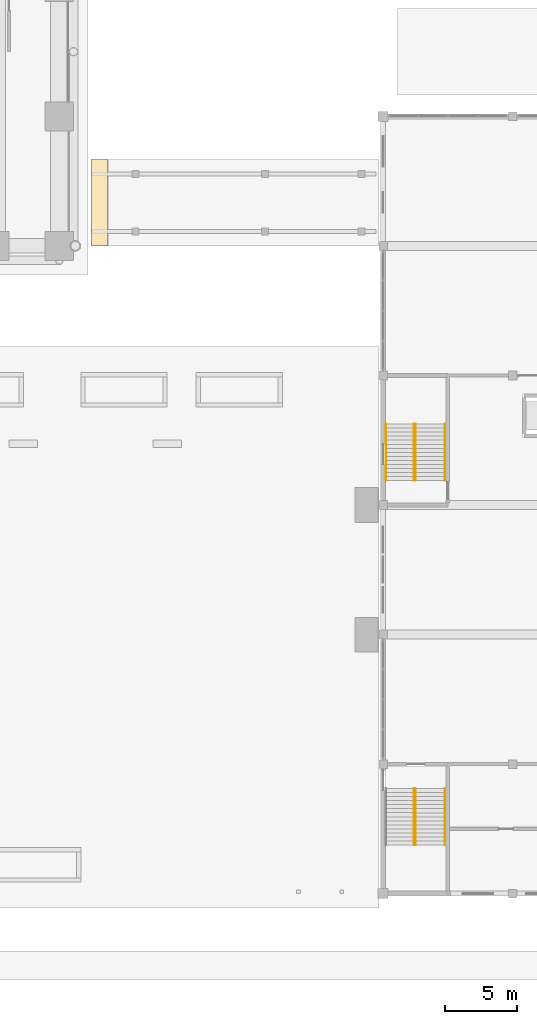
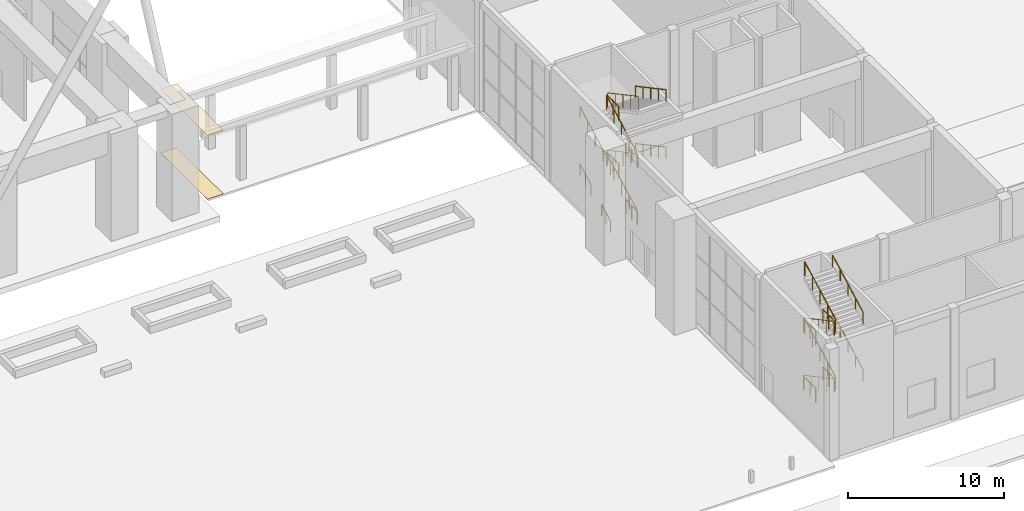
# One storey, part 39 of 44: 23 railings, 2 coverings.
"""IFC4 building model written with IfcOpenShell, lengths in metres."""

from ifc_helpers import new_model, si_unit, direction, frame, origin, origin_2d, place, context, subcontext, project, spatial, rectangle, circle, extrude, material, layer, layer_set, type_object, element, save


model = new_model("IFC4")

# Units and contexts
model_context = context("Model", 3, precision=1e-05, world=origin(), true_north=direction((0.0, 1.0)))
body_context = subcontext(model_context, "Body", "Model", "MODEL_VIEW")
ifc_project = project(units=[si_unit("LENGTHUNIT", "METRE"), si_unit("AREAUNIT", "SQUARE_METRE"), si_unit("VOLUMEUNIT", "CUBIC_METRE"), si_unit("PLANEANGLEUNIT", "RADIAN"), si_unit("MASSUNIT", "GRAM", prefix="KILO")], contexts=[model_context])

# Site, building, storey
site_placement = place(None, origin())
site = spatial("IfcSite", under=ifc_project, at=site_placement, CompositionType="ELEMENT")
building_placement = place(site_placement, origin())
building = spatial("IfcBuilding", under=site, at=building_placement, Name="Firuza Court", CompositionType="ELEMENT")
storey_placement = place(building_placement, origin())
storey = spatial("IfcBuildingStorey", under=building, at=storey_placement, Name="L00", CompositionType="ELEMENT", Elevation=0.0)

# Railings
ifc_material_1 = material(Name="Steel S355", Category="steel")
railing_type_1 = type_object("IfcRailingType", Name="HALL HANDRAIL 900", PredefinedType="HANDRAIL", material=ifc_material_1)
for number, where, name in (
    (1, (94.31005859375, -5.6201171875, 2.39990234375), "Stair H1 flight 2 handrail L00"),
    (2, (94.31005859375, -5.6201171875, 6.89990234375), "Stair H1 flight 4 handrail L00"),
):
    element("IfcRailing", number, at=place(storey_placement, frame(where)), inside=storey, type_object=railing_type_1, Name=name, PredefinedType="HANDRAIL", context=body_context, shape_type="SweptSolid", body=[
        extrude(circle(Radius=0.02099609375, at=origin_2d()), frame((0.0, 0.0, 0.87890625), z_axis=(0.0, 0.881479153919, 0.472222935917), x_axis=(-1.0, 0.0, 0.0)), (0.0, 0.0, 1.0), 4.447265625),
        extrude(circle(Radius=0.02001953125, at=origin_2d()), origin(), (0.0, 0.0, 1.0), 0.85791015625),
        extrude(circle(Radius=0.02001953125, at=origin_2d()), frame((0.0, 0.97998046875, 0.52490234375)), (0.0, 0.0, 1.0), 0.85791015625),
        extrude(circle(Radius=0.02001953125, at=origin_2d()), frame((0.0, 1.9599609375, 1.050048828125)), (0.0, 0.0, 1.0), 0.85791015625),
        extrude(circle(Radius=0.02001953125, at=origin_2d()), frame((0.0, 2.940185546875, 1.5751953125)), (0.0, 0.0, 1.0), 0.85791015625),
        extrude(circle(Radius=0.02001953125, at=origin_2d()), frame((0.0, 3.920166015625, 2.10009765625)), (0.0, 0.0, 1.0), 0.85791015625),
    ])
railing_1_placement = place(storey_placement, frame((90.18994140625, 19.699951171875, 0.14990234375)))
element("IfcRailing", 3, at=railing_1_placement, inside=storey, type_object=railing_type_1, Name="Stair H3 flight 1 handrail L00", PredefinedType="HANDRAIL", context=body_context, shape_type="SweptSolid", body=[
    extrude(circle(Radius=0.02099609375, at=origin_2d()), frame((0.0, 0.0, 0.87890625), z_axis=(0.0, 0.881468545105, 0.47224273842), x_axis=(-1.0, 0.0, 0.0)), (0.0, 0.0, 1.0), 1.270751953125),
    extrude(circle(Radius=0.02001953125, at=origin_2d()), origin(), (0.0, 0.0, 1.0), 0.85791015625),
    extrude(circle(Radius=0.02001953125, at=origin_2d()), frame((0.0, 0.56005859375, 0.300048828125)), (0.0, 0.0, 1.0), 0.85791015625),
    extrude(circle(Radius=0.02001953125, at=origin_2d()), frame((0.0, 1.1201171875, 0.60009765625)), (0.0, 0.0, 1.0), 0.85791015625),
])
railing_2_placement = place(storey_placement, frame((90.18994140625, 22.219970703125, 1.5)))
element("IfcRailing", 4, at=railing_2_placement, inside=storey, type_object=railing_type_1, Name="Stair H3 flight 1 handrail L00 part 2", PredefinedType="HANDRAIL", context=body_context, shape_type="SweptSolid", body=[
    extrude(circle(Radius=0.02099609375, at=origin_2d()), frame((0.0, 0.0, 0.87890625), z_axis=(0.0, 0.881500534337, 0.472183023798), x_axis=(-1.0, 0.0, 0.0)), (0.0, 0.0, 1.0), 1.58837890625),
    extrude(circle(Radius=0.02001953125, at=origin_2d()), origin(), (0.0, 0.0, 1.0), 0.85791015625),
    extrude(circle(Radius=0.02001953125, at=origin_2d()), frame((0.0, 0.7001953125, 0.375)), (0.0, 0.0, 1.0), 0.85791015625),
    extrude(circle(Radius=0.02001953125, at=origin_2d()), frame((0.0, 1.400146484375, 0.75)), (0.0, 0.0, 1.0), 0.85791015625),
])
railing_3_placement = place(storey_placement, frame((94.31005859375, 23.6201171875, 2.39990234375)))
element("IfcRailing", 5, at=railing_3_placement, inside=storey, type_object=railing_type_1, Name="Stair H3 flight 2 handrail L00", PredefinedType="HANDRAIL", context=body_context, shape_type="SweptSolid", body=[
    extrude(circle(Radius=0.02099609375, at=origin_2d()), frame((0.0, 0.0, 0.87890625), z_axis=(0.0, -0.881479153919, 0.472222935917), x_axis=(1.0, 0.0, 0.0)), (0.0, 0.0, 1.0), 4.447265625),
    extrude(circle(Radius=0.02001953125, at=origin_2d()), origin(), (0.0, 0.0, 1.0), 0.85791015625),
    extrude(circle(Radius=0.02001953125, at=origin_2d()), frame((0.0, -0.97998046875, 0.52490234375)), (0.0, 0.0, 1.0), 0.85791015625),
    extrude(circle(Radius=0.02001953125, at=origin_2d()), frame((0.0, -1.9599609375, 1.050048828125)), (0.0, 0.0, 1.0), 0.85791015625),
    extrude(circle(Radius=0.02001953125, at=origin_2d()), frame((0.0, -2.940185546875, 1.5751953125)), (0.0, 0.0, 1.0), 0.85791015625),
    extrude(circle(Radius=0.02001953125, at=origin_2d()), frame((0.0, -3.920166015625, 2.10009765625)), (0.0, 0.0, 1.0), 0.85791015625),
])
railing_4_placement = place(storey_placement, frame((90.18994140625, 19.699951171875, 4.64990234375)))
element("IfcRailing", 6, at=railing_4_placement, inside=storey, type_object=railing_type_1, Name="Stair H3 flight 3 handrail L00", PredefinedType="HANDRAIL", context=body_context, shape_type="SweptSolid", body=[
    extrude(circle(Radius=0.02099609375, at=origin_2d()), frame((0.0, 0.0, 0.87890625), z_axis=(0.0, 0.881479153919, 0.472222935917), x_axis=(-1.0, 0.0, 0.0)), (0.0, 0.0, 1.0), 4.447265625),
    extrude(circle(Radius=0.02001953125, at=origin_2d()), origin(), (0.0, 0.0, 1.0), 0.85791015625),
    extrude(circle(Radius=0.02001953125, at=origin_2d()), frame((0.0, 0.97998046875, 0.52490234375)), (0.0, 0.0, 1.0), 0.85791015625),
    extrude(circle(Radius=0.02001953125, at=origin_2d()), frame((0.0, 1.9599609375, 1.050048828125)), (0.0, 0.0, 1.0), 0.85791015625),
    extrude(circle(Radius=0.02001953125, at=origin_2d()), frame((0.0, 2.940185546875, 1.5751953125)), (0.0, 0.0, 1.0), 0.85791015625),
    extrude(circle(Radius=0.02001953125, at=origin_2d()), frame((0.0, 3.920166015625, 2.10009765625)), (0.0, 0.0, 1.0), 0.85791015625),
])
railing_5_placement = place(storey_placement, frame((94.31005859375, 23.6201171875, 6.89990234375)))
element("IfcRailing", 7, at=railing_5_placement, inside=storey, type_object=railing_type_1, Name="Stair H3 flight 4 handrail L00", PredefinedType="HANDRAIL", context=body_context, shape_type="SweptSolid", body=[
    extrude(circle(Radius=0.02099609375, at=origin_2d()), frame((0.0, 0.0, 0.87890625), z_axis=(0.0, -0.881479153919, 0.472222935917), x_axis=(1.0, 0.0, 0.0)), (0.0, 0.0, 1.0), 4.447265625),
    extrude(circle(Radius=0.02001953125, at=origin_2d()), origin(), (0.0, 0.0, 1.0), 0.85791015625),
    extrude(circle(Radius=0.02001953125, at=origin_2d()), frame((0.0, -0.97998046875, 0.52490234375)), (0.0, 0.0, 1.0), 0.85791015625),
    extrude(circle(Radius=0.02001953125, at=origin_2d()), frame((0.0, -1.9599609375, 1.050048828125)), (0.0, 0.0, 1.0), 0.85791015625),
    extrude(circle(Radius=0.02001953125, at=origin_2d()), frame((0.0, -2.940185546875, 1.5751953125)), (0.0, 0.0, 1.0), 0.85791015625),
    extrude(circle(Radius=0.02001953125, at=origin_2d()), frame((0.0, -3.920166015625, 2.10009765625)), (0.0, 0.0, 1.0), 0.85791015625),
])

# Coverings
ifc_material_2 = material(Name="Stainless steel", Category="steel")
ifc_layer_1 = layer(ifc_material_2, 0.02001953125)
ifc_layer_set_1 = layer_set([ifc_layer_1], Name="Stainless steel")
covering_type_1 = type_object("IfcCoveringType", Name="HALL JOINT COVER FLOORING 20", PredefinedType="FLOORING", material=ifc_layer_set_1)
covering_1_placement = place(storey_placement, frame((70.300048828125, 39.0, 0.0), z_axis=(0.0, 0.0, 1.0), x_axis=(1.0, 0.0, 0.0)))
element("IfcCovering", 8, at=covering_1_placement, inside=storey, type_object=covering_type_1, Name="MOVEMENT JOINT floor cover plate", PredefinedType="FLOORING", context=body_context, shape_type="SweptSolid", body=[
    extrude(rectangle(XDim=1.199951171875, YDim=6.0, at=origin_2d()), origin(), (0.0, 0.0, 1.0), 0.02001953125),
])
ifc_layer_2 = layer(ifc_material_2, 0.02001953125)
ifc_layer_set_2 = layer_set([ifc_layer_2], Name="Stainless steel")
covering_type_2 = type_object("IfcCoveringType", Name="HALL JOINT COVER ROOFING 20", PredefinedType="ROOFING", material=ifc_layer_set_2)
covering_2_placement = place(storey_placement, frame((70.300048828125, 39.0, 5.0), z_axis=(0.0, 0.0, 1.0), x_axis=(1.0, 0.0, 0.0)))
element("IfcCovering", 9, at=covering_2_placement, inside=storey, type_object=covering_type_2, Name="MOVEMENT JOINT roof cover plate", PredefinedType="ROOFING", context=body_context, shape_type="SweptSolid", body=[
    extrude(rectangle(XDim=1.199951171875, YDim=6.0, at=origin_2d()), origin(), (0.0, 0.0, 1.0), 0.02001953125),
])

# Railings
ifc_material_3 = material(Name="Steel S355", Category="steel")
railing_type_2 = type_object("IfcRailingType", Name="HALL RAILING 1100", PredefinedType="GUARDRAIL", material=ifc_material_3)
railing_6_placement = place(storey_placement, frame((92.14990234375, -1.699951171875, 0.14990234375)))
element("IfcRailing", 10, at=railing_6_placement, inside=storey, type_object=railing_type_2, Name="Stair H1 flight 1 guard L00", PredefinedType="GUARDRAIL", context=body_context, shape_type="SweptSolid", body=[
    extrude(circle(Radius=0.02392578125, at=origin_2d()), frame((0.0, 0.0, 1.076171875), z_axis=(0.0, -0.881479153919, 0.472222935917), x_axis=(1.0, 0.0, 0.0)), (0.0, 0.0, 1.0), 4.447265625),
    extrude(circle(Radius=0.02099609375, at=origin_2d()), origin(), (0.0, 0.0, 1.0), 1.052001953125),
    extrude(circle(Radius=0.02099609375, at=origin_2d()), frame((0.0, -0.97998046875, 0.52490234375)), (0.0, 0.0, 1.0), 1.052001953125),
    extrude(circle(Radius=0.02099609375, at=origin_2d()), frame((0.0, -1.9599609375, 1.050048828125)), (0.0, 0.0, 1.0), 1.052001953125),
    extrude(circle(Radius=0.02099609375, at=origin_2d()), frame((0.0, -2.940185546875, 1.5751953125)), (0.0, 0.0, 1.0), 1.052001953125),
    extrude(circle(Radius=0.02099609375, at=origin_2d()), frame((0.0, -3.920166015625, 2.10009765625)), (0.0, 0.0, 1.0), 1.052001953125),
])
railing_7_placement = place(storey_placement, frame((92.25, -5.6201171875, 2.39990234375)))
element("IfcRailing", 11, at=railing_7_placement, inside=storey, type_object=railing_type_2, Name="Stair H1 flight 2 guard L00", PredefinedType="GUARDRAIL", context=body_context, shape_type="SweptSolid", body=[
    extrude(circle(Radius=0.02392578125, at=origin_2d()), frame((0.0, 0.0, 1.076171875), z_axis=(0.0, 0.881479153919, 0.472222935917), x_axis=(-1.0, 0.0, 0.0)), (0.0, 0.0, 1.0), 4.447265625),
    extrude(circle(Radius=0.02099609375, at=origin_2d()), origin(), (0.0, 0.0, 1.0), 1.052001953125),
    extrude(circle(Radius=0.02099609375, at=origin_2d()), frame((0.0, 0.97998046875, 0.52490234375)), (0.0, 0.0, 1.0), 1.052001953125),
    extrude(circle(Radius=0.02099609375, at=origin_2d()), frame((0.0, 1.9599609375, 1.050048828125)), (0.0, 0.0, 1.0), 1.052001953125),
    extrude(circle(Radius=0.02099609375, at=origin_2d()), frame((0.0, 2.940185546875, 1.5751953125)), (0.0, 0.0, 1.0), 1.052001953125),
    extrude(circle(Radius=0.02099609375, at=origin_2d()), frame((0.0, 3.920166015625, 2.10009765625)), (0.0, 0.0, 1.0), 1.052001953125),
])
railing_8_placement = place(storey_placement, frame((92.14990234375, -1.699951171875, 4.64990234375)))
element("IfcRailing", 12, at=railing_8_placement, inside=storey, type_object=railing_type_2, Name="Stair H1 flight 3 guard L00", PredefinedType="GUARDRAIL", context=body_context, shape_type="SweptSolid", body=[
    extrude(circle(Radius=0.02392578125, at=origin_2d()), frame((0.0, 0.0, 1.076171875), z_axis=(0.0, -0.881479153919, 0.472222935917), x_axis=(1.0, 0.0, 0.0)), (0.0, 0.0, 1.0), 4.447265625),
    extrude(circle(Radius=0.02099609375, at=origin_2d()), origin(), (0.0, 0.0, 1.0), 1.052001953125),
    extrude(circle(Radius=0.02099609375, at=origin_2d()), frame((0.0, -0.97998046875, 0.52490234375)), (0.0, 0.0, 1.0), 1.052001953125),
    extrude(circle(Radius=0.02099609375, at=origin_2d()), frame((0.0, -1.9599609375, 1.050048828125)), (0.0, 0.0, 1.0), 1.052001953125),
    extrude(circle(Radius=0.02099609375, at=origin_2d()), frame((0.0, -2.940185546875, 1.5751953125)), (0.0, 0.0, 1.0), 1.052001953125),
    extrude(circle(Radius=0.02099609375, at=origin_2d()), frame((0.0, -3.920166015625, 2.10009765625)), (0.0, 0.0, 1.0), 1.052001953125),
])
railing_9_placement = place(storey_placement, frame((92.25, -5.6201171875, 6.89990234375)))
element("IfcRailing", 13, at=railing_9_placement, inside=storey, type_object=railing_type_2, Name="Stair H1 flight 4 guard L00", PredefinedType="GUARDRAIL", context=body_context, shape_type="SweptSolid", body=[
    extrude(circle(Radius=0.02392578125, at=origin_2d()), frame((0.0, 0.0, 1.076171875), z_axis=(0.0, 0.881479153919, 0.472222935917), x_axis=(-1.0, 0.0, 0.0)), (0.0, 0.0, 1.0), 4.447265625),
    extrude(circle(Radius=0.02099609375, at=origin_2d()), origin(), (0.0, 0.0, 1.0), 1.052001953125),
    extrude(circle(Radius=0.02099609375, at=origin_2d()), frame((0.0, 0.97998046875, 0.52490234375)), (0.0, 0.0, 1.0), 1.052001953125),
    extrude(circle(Radius=0.02099609375, at=origin_2d()), frame((0.0, 1.9599609375, 1.050048828125)), (0.0, 0.0, 1.0), 1.052001953125),
    extrude(circle(Radius=0.02099609375, at=origin_2d()), frame((0.0, 2.940185546875, 1.5751953125)), (0.0, 0.0, 1.0), 1.052001953125),
    extrude(circle(Radius=0.02099609375, at=origin_2d()), frame((0.0, 3.920166015625, 2.10009765625)), (0.0, 0.0, 1.0), 1.052001953125),
])
for number, where, name in (
    (14, (92.199951171875, -4.1201171875, 2.25), "Stair H1 landing guard 1 L00"),
    (15, (92.199951171875, -1.699951171875, 4.5), "Stair H1 landing guard 2 L00"),
    (16, (92.199951171875, -4.1201171875, 6.75), "Stair H1 landing guard 3 L00"),
):
    element("IfcRailing", number, at=place(storey_placement, frame(where)), inside=storey, type_object=railing_type_2, Name=name, PredefinedType="GUARDRAIL", context=body_context, shape_type="SweptSolid", body=[
        extrude(circle(Radius=0.02392578125, at=origin_2d()), frame((0.0, 0.0, 1.076171875), z_axis=(0.0, -1.0, 0.0), x_axis=(1.0, 0.0, 0.0)), (0.0, 0.0, 1.0), 1.5),
        extrude(circle(Radius=0.02099609375, at=origin_2d()), origin(), (0.0, 0.0, 1.0), 1.052001953125),
        extrude(circle(Radius=0.02099609375, at=origin_2d()), frame((0.0, -0.75, 0.0)), (0.0, 0.0, 1.0), 1.052001953125),
        extrude(circle(Radius=0.02099609375, at=origin_2d()), frame((0.0, -1.5, 0.0)), (0.0, 0.0, 1.0), 1.052001953125),
    ])
railing_10_placement = place(storey_placement, frame((92.14990234375, 19.699951171875, 0.14990234375)))
element("IfcRailing", 17, at=railing_10_placement, inside=storey, type_object=railing_type_2, Name="Stair H3 flight 1 guard L00", PredefinedType="GUARDRAIL", context=body_context, shape_type="SweptSolid", body=[
    extrude(circle(Radius=0.02392578125, at=origin_2d()), frame((0.0, 0.0, 1.076171875), z_axis=(0.0, 0.881479153919, 0.472222935917), x_axis=(-1.0, 0.0, 0.0)), (0.0, 0.0, 1.0), 4.447265625),
    extrude(circle(Radius=0.02099609375, at=origin_2d()), origin(), (0.0, 0.0, 1.0), 1.052001953125),
    extrude(circle(Radius=0.02099609375, at=origin_2d()), frame((0.0, 0.97998046875, 0.52490234375)), (0.0, 0.0, 1.0), 1.052001953125),
    extrude(circle(Radius=0.02099609375, at=origin_2d()), frame((0.0, 1.9599609375, 1.050048828125)), (0.0, 0.0, 1.0), 1.052001953125),
    extrude(circle(Radius=0.02099609375, at=origin_2d()), frame((0.0, 2.940185546875, 1.5751953125)), (0.0, 0.0, 1.0), 1.052001953125),
    extrude(circle(Radius=0.02099609375, at=origin_2d()), frame((0.0, 3.920166015625, 2.10009765625)), (0.0, 0.0, 1.0), 1.052001953125),
])
railing_11_placement = place(storey_placement, frame((92.25, 23.6201171875, 2.39990234375)))
element("IfcRailing", 18, at=railing_11_placement, inside=storey, type_object=railing_type_2, Name="Stair H3 flight 2 guard L00", PredefinedType="GUARDRAIL", context=body_context, shape_type="SweptSolid", body=[
    extrude(circle(Radius=0.02392578125, at=origin_2d()), frame((0.0, 0.0, 1.076171875), z_axis=(0.0, -0.881479153919, 0.472222935917), x_axis=(1.0, 0.0, 0.0)), (0.0, 0.0, 1.0), 4.447265625),
    extrude(circle(Radius=0.02099609375, at=origin_2d()), origin(), (0.0, 0.0, 1.0), 1.052001953125),
    extrude(circle(Radius=0.02099609375, at=origin_2d()), frame((0.0, -0.97998046875, 0.52490234375)), (0.0, 0.0, 1.0), 1.052001953125),
    extrude(circle(Radius=0.02099609375, at=origin_2d()), frame((0.0, -1.9599609375, 1.050048828125)), (0.0, 0.0, 1.0), 1.052001953125),
    extrude(circle(Radius=0.02099609375, at=origin_2d()), frame((0.0, -2.940185546875, 1.5751953125)), (0.0, 0.0, 1.0), 1.052001953125),
    extrude(circle(Radius=0.02099609375, at=origin_2d()), frame((0.0, -3.920166015625, 2.10009765625)), (0.0, 0.0, 1.0), 1.052001953125),
])
railing_12_placement = place(storey_placement, frame((92.14990234375, 19.699951171875, 4.64990234375)))
element("IfcRailing", 19, at=railing_12_placement, inside=storey, type_object=railing_type_2, Name="Stair H3 flight 3 guard L00", PredefinedType="GUARDRAIL", context=body_context, shape_type="SweptSolid", body=[
    extrude(circle(Radius=0.02392578125, at=origin_2d()), frame((0.0, 0.0, 1.076171875), z_axis=(0.0, 0.881479153919, 0.472222935917), x_axis=(-1.0, 0.0, 0.0)), (0.0, 0.0, 1.0), 4.447265625),
    extrude(circle(Radius=0.02099609375, at=origin_2d()), origin(), (0.0, 0.0, 1.0), 1.052001953125),
    extrude(circle(Radius=0.02099609375, at=origin_2d()), frame((0.0, 0.97998046875, 0.52490234375)), (0.0, 0.0, 1.0), 1.052001953125),
    extrude(circle(Radius=0.02099609375, at=origin_2d()), frame((0.0, 1.9599609375, 1.050048828125)), (0.0, 0.0, 1.0), 1.052001953125),
    extrude(circle(Radius=0.02099609375, at=origin_2d()), frame((0.0, 2.940185546875, 1.5751953125)), (0.0, 0.0, 1.0), 1.052001953125),
    extrude(circle(Radius=0.02099609375, at=origin_2d()), frame((0.0, 3.920166015625, 2.10009765625)), (0.0, 0.0, 1.0), 1.052001953125),
])
railing_13_placement = place(storey_placement, frame((92.25, 23.6201171875, 6.89990234375)))
element("IfcRailing", 20, at=railing_13_placement, inside=storey, type_object=railing_type_2, Name="Stair H3 flight 4 guard L00", PredefinedType="GUARDRAIL", context=body_context, shape_type="SweptSolid", body=[
    extrude(circle(Radius=0.02392578125, at=origin_2d()), frame((0.0, 0.0, 1.076171875), z_axis=(0.0, -0.881479153919, 0.472222935917), x_axis=(1.0, 0.0, 0.0)), (0.0, 0.0, 1.0), 4.447265625),
    extrude(circle(Radius=0.02099609375, at=origin_2d()), origin(), (0.0, 0.0, 1.0), 1.052001953125),
    extrude(circle(Radius=0.02099609375, at=origin_2d()), frame((0.0, -0.97998046875, 0.52490234375)), (0.0, 0.0, 1.0), 1.052001953125),
    extrude(circle(Radius=0.02099609375, at=origin_2d()), frame((0.0, -1.9599609375, 1.050048828125)), (0.0, 0.0, 1.0), 1.052001953125),
    extrude(circle(Radius=0.02099609375, at=origin_2d()), frame((0.0, -2.940185546875, 1.5751953125)), (0.0, 0.0, 1.0), 1.052001953125),
    extrude(circle(Radius=0.02099609375, at=origin_2d()), frame((0.0, -3.920166015625, 2.10009765625)), (0.0, 0.0, 1.0), 1.052001953125),
])
for number, where, name in (
    (21, (92.199951171875, 22.1201171875, 2.25), "Stair H3 landing guard 1 L00"),
    (22, (92.199951171875, 19.699951171875, 4.5), "Stair H3 landing guard 2 L00"),
    (23, (92.199951171875, 22.1201171875, 6.75), "Stair H3 landing guard 3 L00"),
):
    element("IfcRailing", number, at=place(storey_placement, frame(where)), inside=storey, type_object=railing_type_2, Name=name, PredefinedType="GUARDRAIL", context=body_context, shape_type="SweptSolid", body=[
        extrude(circle(Radius=0.02392578125, at=origin_2d()), frame((0.0, 0.0, 1.076171875), z_axis=(0.0, 1.0, 0.0), x_axis=(-1.0, 0.0, 0.0)), (0.0, 0.0, 1.0), 1.5),
        extrude(circle(Radius=0.02099609375, at=origin_2d()), origin(), (0.0, 0.0, 1.0), 1.052001953125),
        extrude(circle(Radius=0.02099609375, at=origin_2d()), frame((0.0, 0.75, 0.0)), (0.0, 0.0, 1.0), 1.052001953125),
        extrude(circle(Radius=0.02099609375, at=origin_2d()), frame((0.0, 1.5, 0.0)), (0.0, 0.0, 1.0), 1.052001953125),
    ])
railing_14_placement = place(storey_placement, frame((92.199951171875, -1.699951171875, 0.0)))
element("IfcRailing", 24, at=railing_14_placement, inside=storey, type_object=railing_type_2, Name="Stair H1 floor guard L00", PredefinedType="GUARDRAIL", context=body_context, shape_type="SweptSolid", body=[
    extrude(circle(Radius=0.02392578125, at=origin_2d()), frame((0.0, 0.0, 1.076171875), z_axis=(0.0, -1.0, 0.0), x_axis=(1.0, 0.0, 0.0)), (0.0, 0.0, 1.0), 1.5),
    extrude(circle(Radius=0.02099609375, at=origin_2d()), origin(), (0.0, 0.0, 1.0), 1.052001953125),
    extrude(circle(Radius=0.02099609375, at=origin_2d()), frame((0.0, -0.75, 0.0)), (0.0, 0.0, 1.0), 1.052001953125),
    extrude(circle(Radius=0.02099609375, at=origin_2d()), frame((0.0, -1.5, 0.0)), (0.0, 0.0, 1.0), 1.052001953125),
])
railing_15_placement = place(storey_placement, frame((92.199951171875, 19.699951171875, 0.0)))
element("IfcRailing", 25, at=railing_15_placement, inside=storey, type_object=railing_type_2, Name="Stair H3 floor guard L00", PredefinedType="GUARDRAIL", context=body_context, shape_type="SweptSolid", body=[
    extrude(circle(Radius=0.02392578125, at=origin_2d()), frame((0.0, 0.0, 1.076171875), z_axis=(0.0, 1.0, 0.0), x_axis=(-1.0, 0.0, 0.0)), (0.0, 0.0, 1.0), 1.5),
    extrude(circle(Radius=0.02099609375, at=origin_2d()), origin(), (0.0, 0.0, 1.0), 1.052001953125),
    extrude(circle(Radius=0.02099609375, at=origin_2d()), frame((0.0, 0.75, 0.0)), (0.0, 0.0, 1.0), 1.052001953125),
    extrude(circle(Radius=0.02099609375, at=origin_2d()), frame((0.0, 1.5, 0.0)), (0.0, 0.0, 1.0), 1.052001953125),
])

save(model, "model.ifc")
